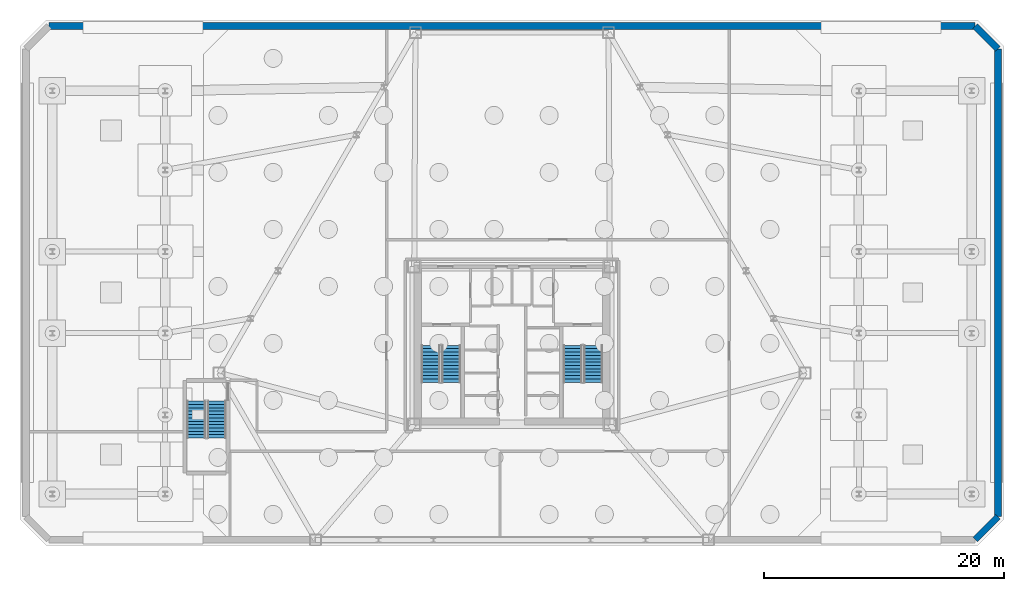
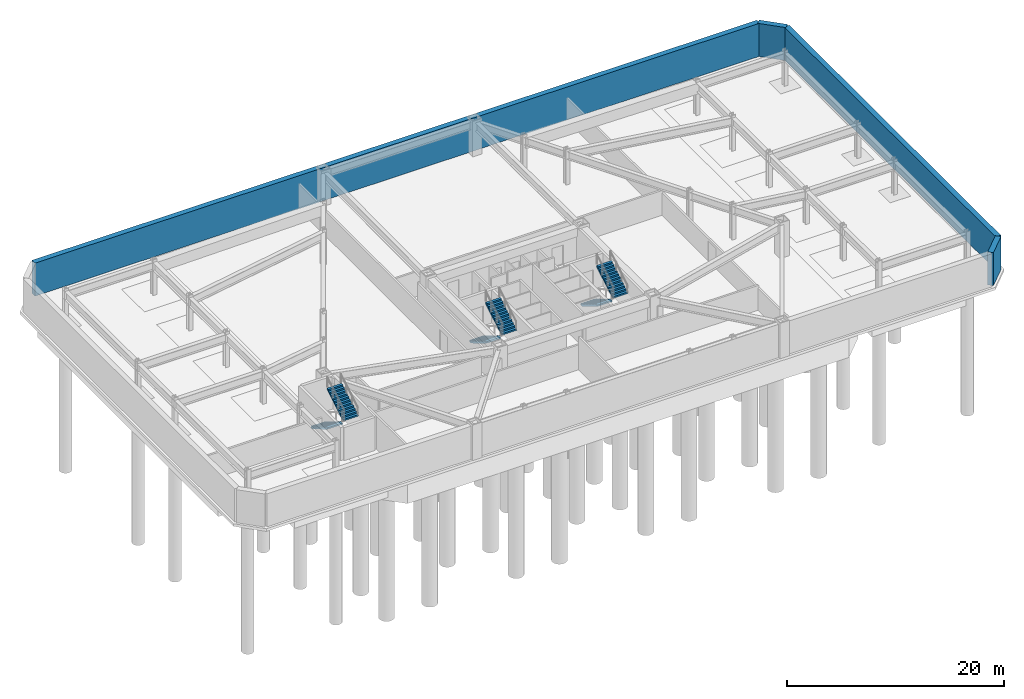
# One storey, part 7 of 8: 6 stair flights, 4 walls, 3 elements without a shape of their own.
"""IFC4 building model written with IfcOpenShell, lengths in metres."""

from ifc_helpers import new_model, si_unit, direction, frame, frame_2d, origin, place, context, subcontext, project, spatial, polyline, rectangle, outline, extrude, material, layer, layer_set, type_object, element, aggregate, save


model = new_model("IFC4")

# Units and contexts
model_context = context("Model", 3, precision=1e-05, world=origin(), true_north=direction((0.0, 1.0)))
body_context = subcontext(model_context, "Body", "Model", "MODEL_VIEW")
ifc_project = project(units=[si_unit("LENGTHUNIT", "METRE"), si_unit("AREAUNIT", "SQUARE_METRE"), si_unit("VOLUMEUNIT", "CUBIC_METRE"), si_unit("PLANEANGLEUNIT", "RADIAN"), si_unit("MASSUNIT", "GRAM", prefix="KILO")], contexts=[model_context])

# Site, building, storey
site_placement = place(None, origin())
site = spatial("IfcSite", under=ifc_project, at=site_placement, CompositionType="ELEMENT")
building_placement = place(site_placement, origin())
building = spatial("IfcBuilding", under=site, at=building_placement, Name="Oramaril Tower", CompositionType="ELEMENT")
storey_placement = place(building_placement, frame((0.0, 0.0, -8.0)))
storey = spatial("IfcBuildingStorey", under=building, at=storey_placement, Name="B02", CompositionType="ELEMENT", Elevation=-8.0)

# Walls
ifc_material_1 = material(Name="Concrete C50/60", Category="concrete")
ifc_layer = layer(ifc_material_1, 0.550048828125)
ifc_layer_set = layer_set([ifc_layer], Name="WT-RET55")
wall_type = type_object("IfcWallType", Name="WT-RET55", PredefinedType="USERDEFINED", material=ifc_layer_set)
wall_1_placement = place(storey_placement, frame((76.093017578125, 1.39990234375, 0.0), z_axis=(0.0, 0.0, 1.0), x_axis=(0.707061519111, 0.707152040365, 0.0)))
element("IfcWall", 1, at=wall_1_placement, inside=storey, type_object=wall_type, Name="B02 Perimeter Retaining Wall RW-02", ObjectType="RETAININGWALL", PredefinedType="USERDEFINED", context=body_context, shape_type="SweptSolid", body=[
    extrude(rectangle(XDim=2.697021484375, YDim=0.550048828125, at=frame_2d((1.3486328125, 0.0))), origin(), (0.0, 0.0, 1.0), 3.719970703125),
])
wall_2_placement = place(storey_placement, frame((78.0, 3.30712890625, 0.0), z_axis=(0.0, 0.0, 1.0), x_axis=(0.0, 1.0, 0.0)))
element("IfcWall", 2, at=wall_2_placement, inside=storey, type_object=wall_type, Name="B02 Perimeter Retaining Wall RW-03", ObjectType="RETAININGWALL", PredefinedType="USERDEFINED", context=body_context, shape_type="SweptSolid", body=[
    extrude(rectangle(XDim=38.98583984375, YDim=0.550048828125, at=frame_2d((19.492919921875, 0.0))), origin(), (0.0, 0.0, 1.0), 3.719970703125),
])
wall_3_placement = place(storey_placement, frame((78.0, 42.29296875, 0.0), z_axis=(0.0, 0.0, 1.0), x_axis=(-0.707106781187, 0.707106781187, 0.0)))
element("IfcWall", 3, at=wall_3_placement, inside=storey, type_object=wall_type, Name="B02 Perimeter Retaining Wall RW-04", ObjectType="RETAININGWALL", PredefinedType="USERDEFINED", context=body_context, shape_type="SweptSolid", body=[
    extrude(rectangle(XDim=2.69677734375, YDim=0.550048828125, at=frame_2d((1.348388671875, 0.0))), origin(), (0.0, 0.0, 1.0), 3.719970703125),
])
wall_4_placement = place(storey_placement, frame((76.093017578125, 44.199951171875, 0.0), z_axis=(0.0, 0.0, 1.0), x_axis=(-1.0, 0.0, 0.0)))
element("IfcWall", 4, at=wall_4_placement, inside=storey, type_object=wall_type, Name="B02 Perimeter Retaining Wall RW-05", ObjectType="RETAININGWALL", PredefinedType="USERDEFINED", context=body_context, shape_type="SweptSolid", body=[
    extrude(rectangle(XDim=77.18603515625, YDim=0.550048828125, at=frame_2d((38.593017578125, 0.0))), origin(), (0.0, 0.0, 1.0), 3.719970703125),
])

# Stair, stair flights
ifc_material_2 = material(Name="Concrete C50/60", Category="concrete")
stair_type = type_object("IfcStairType", Name="STT-DG-4000", PredefinedType="HALF_TURN_STAIR", material=ifc_material_2)
stair_1_placement = place(storey_placement, origin())
stair_1 = element("IfcStair", 5, at=stair_1_placement, inside=storey, type_object=stair_type, Name="B02 Protected PFP Exit Stair ST-1", PredefinedType="HALF_TURN_STAIR")
ifc_material_3 = material(Name="Concrete C50/60", Category="concrete")
stair_flight_type = type_object("IfcStairFlightType", Name="SFT-DG-4000", PredefinedType="STRAIGHT", material=ifc_material_3)
stair_flight_1_placement = place(storey_placement, frame((30.72998046875, 17.590087890625, 0.0), z_axis=(0.0, 0.0, 1.0), x_axis=(0.0, -1.0, 0.0)))
stair_flight_1 = element("IfcStairFlight", 6, at=stair_flight_1_placement, type_object=stair_flight_type, Name="ST-1 flight 1", NumberOfRisers=12, NumberOfTreads=11, PredefinedType="STRAIGHT", RiserHeight=0.166666667, TreadLength=0.28, context=body_context, shape_type="SweptSolid", body=[
    extrude(outline(polyline([(0.0, 0.0), (0.0, 0.166748046875), (0.280029296875, 0.166748046875), (0.280029296875, 0.333251953125), (0.56005859375, 0.333251953125), (0.56005859375, 0.5), (0.840087890625, 0.5), (0.840087890625, 0.666748046875), (1.1201171875, 0.666748046875), (1.1201171875, 0.833251953125), (1.39990234375, 0.833251953125), (1.39990234375, 1.0), (1.679931640625, 1.0), (1.679931640625, 1.166748046875), (1.9599609375, 1.166748046875), (1.9599609375, 1.333251953125), (2.239990234375, 1.333251953125), (2.239990234375, 1.5), (2.52001953125, 1.5), (2.52001953125, 1.666748046875), (2.800048828125, 1.666748046875), (2.800048828125, 1.833251953125), (3.080078125, 1.833251953125), (3.080078125, 2.0), (3.080078125, 1.658935546875), (0.29296875, 0.0), (0.0, 0.0)])), frame((0.0, 0.780029296875, 0.0), z_axis=(0.0, -1.0, 0.0), x_axis=(1.0, 0.0, 0.0)), (0.0, 0.0, 1.0), 1.56005859375),
])
stair_flight_2_placement = place(storey_placement, frame((32.43994140625, 14.510009765625, 2.0), z_axis=(0.0, 0.0, 1.0), x_axis=(0.0, 1.0, 0.0)))
stair_flight_2 = element("IfcStairFlight", 7, at=stair_flight_2_placement, type_object=stair_flight_type, Name="ST-1 flight 2", NumberOfRisers=12, NumberOfTreads=11, PredefinedType="STRAIGHT", RiserHeight=0.166666667, TreadLength=0.28, context=body_context, shape_type="SweptSolid", body=[
    extrude(outline(polyline([(0.0, 0.0), (0.0, 0.166748046875), (0.280029296875, 0.166748046875), (0.280029296875, 0.333251953125), (0.56005859375, 0.333251953125), (0.56005859375, 0.5), (0.840087890625, 0.5), (0.840087890625, 0.666748046875), (1.1201171875, 0.666748046875), (1.1201171875, 0.833251953125), (1.39990234375, 0.833251953125), (1.39990234375, 1.0), (1.679931640625, 1.0), (1.679931640625, 1.166748046875), (1.9599609375, 1.166748046875), (1.9599609375, 1.333251953125), (2.239990234375, 1.333251953125), (2.239990234375, 1.5), (2.52001953125, 1.5), (2.52001953125, 1.666748046875), (2.800048828125, 1.666748046875), (2.800048828125, 1.833251953125), (3.080078125, 1.833251953125), (3.080078125, 2.0), (3.080078125, 1.658935546875), (0.29296875, 0.0), (0.0, 0.0)])), frame((0.0, 0.780029296875, 0.0), z_axis=(0.0, -1.0, 0.0), x_axis=(1.0, 0.0, 0.0)), (0.0, 0.0, 1.0), 1.56005859375),
])
aggregate(stair_1, [stair_flight_1, stair_flight_2])

stair_2_placement = place(storey_placement, origin())
stair_2 = element("IfcStair", 8, at=stair_2_placement, inside=storey, type_object=stair_type, Name="B02 Protected PFP Exit Stair ST-2", PredefinedType="HALF_TURN_STAIR")
stair_flight_3_placement = place(storey_placement, frame((42.56005859375, 17.590087890625, 0.0), z_axis=(0.0, 0.0, 1.0), x_axis=(0.0, -1.0, 0.0)))
stair_flight_3 = element("IfcStairFlight", 9, at=stair_flight_3_placement, type_object=stair_flight_type, Name="ST-2 flight 1", NumberOfRisers=12, NumberOfTreads=11, PredefinedType="STRAIGHT", RiserHeight=0.166666667, TreadLength=0.28, context=body_context, shape_type="SweptSolid", body=[
    extrude(outline(polyline([(0.0, 0.0), (0.0, 0.166748046875), (0.280029296875, 0.166748046875), (0.280029296875, 0.333251953125), (0.56005859375, 0.333251953125), (0.56005859375, 0.5), (0.840087890625, 0.5), (0.840087890625, 0.666748046875), (1.1201171875, 0.666748046875), (1.1201171875, 0.833251953125), (1.39990234375, 0.833251953125), (1.39990234375, 1.0), (1.679931640625, 1.0), (1.679931640625, 1.166748046875), (1.9599609375, 1.166748046875), (1.9599609375, 1.333251953125), (2.239990234375, 1.333251953125), (2.239990234375, 1.5), (2.52001953125, 1.5), (2.52001953125, 1.666748046875), (2.800048828125, 1.666748046875), (2.800048828125, 1.833251953125), (3.080078125, 1.833251953125), (3.080078125, 2.0), (3.080078125, 1.658935546875), (0.29296875, 0.0), (0.0, 0.0)])), frame((0.0, 0.780029296875, 0.0), z_axis=(0.0, -1.0, 0.0), x_axis=(1.0, 0.0, 0.0)), (0.0, 0.0, 1.0), 1.56005859375),
])
stair_flight_4_placement = place(storey_placement, frame((44.27001953125, 14.510009765625, 2.0), z_axis=(0.0, 0.0, 1.0), x_axis=(0.0, 1.0, 0.0)))
stair_flight_4 = element("IfcStairFlight", 10, at=stair_flight_4_placement, type_object=stair_flight_type, Name="ST-2 flight 2", NumberOfRisers=12, NumberOfTreads=11, PredefinedType="STRAIGHT", RiserHeight=0.166666667, TreadLength=0.28, context=body_context, shape_type="SweptSolid", body=[
    extrude(outline(polyline([(0.0, 0.0), (0.0, 0.166748046875), (0.280029296875, 0.166748046875), (0.280029296875, 0.333251953125), (0.56005859375, 0.333251953125), (0.56005859375, 0.5), (0.840087890625, 0.5), (0.840087890625, 0.666748046875), (1.1201171875, 0.666748046875), (1.1201171875, 0.833251953125), (1.39990234375, 0.833251953125), (1.39990234375, 1.0), (1.679931640625, 1.0), (1.679931640625, 1.166748046875), (1.9599609375, 1.166748046875), (1.9599609375, 1.333251953125), (2.239990234375, 1.333251953125), (2.239990234375, 1.5), (2.52001953125, 1.5), (2.52001953125, 1.666748046875), (2.800048828125, 1.666748046875), (2.800048828125, 1.833251953125), (3.080078125, 1.833251953125), (3.080078125, 2.0), (3.080078125, 1.658935546875), (0.29296875, 0.0), (0.0, 0.0)])), frame((0.0, 0.780029296875, 0.0), z_axis=(0.0, -1.0, 0.0), x_axis=(1.0, 0.0, 0.0)), (0.0, 0.0, 1.0), 1.56005859375),
])
aggregate(stair_2, [stair_flight_3, stair_flight_4])

stair_3_placement = place(storey_placement, origin())
stair_3 = element("IfcStair", 11, at=stair_3_placement, inside=storey, type_object=stair_type, Name="B02 Podium Enclosed Exit Stair ST-3", PredefinedType="HALF_TURN_STAIR")
stair_flight_5_placement = place(storey_placement, frame((11.179931640625, 12.93994140625, 0.0), z_axis=(0.0, 0.0, 1.0), x_axis=(0.0, -1.0, 0.0)))
stair_flight_5 = element("IfcStairFlight", 12, at=stair_flight_5_placement, type_object=stair_flight_type, Name="ST-3 flight 1", NumberOfRisers=12, NumberOfTreads=11, PredefinedType="STRAIGHT", RiserHeight=0.166666667, TreadLength=0.28, context=body_context, shape_type="SweptSolid", body=[
    extrude(outline(polyline([(0.0, 0.0), (0.0, 0.166748046875), (0.280029296875, 0.166748046875), (0.280029296875, 0.333251953125), (0.56005859375, 0.333251953125), (0.56005859375, 0.5), (0.840087890625, 0.5), (0.840087890625, 0.666748046875), (1.1201171875, 0.666748046875), (1.1201171875, 0.833251953125), (1.39990234375, 0.833251953125), (1.39990234375, 1.0), (1.679931640625, 1.0), (1.679931640625, 1.166748046875), (1.9599609375, 1.166748046875), (1.9599609375, 1.333251953125), (2.239990234375, 1.333251953125), (2.239990234375, 1.5), (2.52001953125, 1.5), (2.52001953125, 1.666748046875), (2.800048828125, 1.666748046875), (2.800048828125, 1.833251953125), (3.080078125, 1.833251953125), (3.080078125, 2.0), (3.080078125, 1.658935546875), (0.29296875, 0.0), (0.0, 0.0)])), frame((0.0, 0.780029296875, 0.0), z_axis=(0.0, -1.0, 0.0), x_axis=(1.0, 0.0, 0.0)), (0.0, 0.0, 1.0), 1.56005859375),
])
stair_flight_6_placement = place(storey_placement, frame((12.889892578125, 9.860107421875, 2.0), z_axis=(0.0, 0.0, 1.0), x_axis=(0.0, 1.0, 0.0)))
stair_flight_6 = element("IfcStairFlight", 13, at=stair_flight_6_placement, type_object=stair_flight_type, Name="ST-3 flight 2", NumberOfRisers=12, NumberOfTreads=11, PredefinedType="STRAIGHT", RiserHeight=0.166666667, TreadLength=0.28, context=body_context, shape_type="SweptSolid", body=[
    extrude(outline(polyline([(0.0, 0.0), (0.0, 0.166748046875), (0.280029296875, 0.166748046875), (0.280029296875, 0.333251953125), (0.56005859375, 0.333251953125), (0.56005859375, 0.5), (0.840087890625, 0.5), (0.840087890625, 0.666748046875), (1.1201171875, 0.666748046875), (1.1201171875, 0.833251953125), (1.39990234375, 0.833251953125), (1.39990234375, 1.0), (1.679931640625, 1.0), (1.679931640625, 1.166748046875), (1.9599609375, 1.166748046875), (1.9599609375, 1.333251953125), (2.239990234375, 1.333251953125), (2.239990234375, 1.5), (2.52001953125, 1.5), (2.52001953125, 1.666748046875), (2.800048828125, 1.666748046875), (2.800048828125, 1.833251953125), (3.080078125, 1.833251953125), (3.080078125, 2.0), (3.080078125, 1.658935546875), (0.29296875, 0.0), (0.0, 0.0)])), frame((0.0, 0.780029296875, 0.0), z_axis=(0.0, -1.0, 0.0), x_axis=(1.0, 0.0, 0.0)), (0.0, 0.0, 1.0), 1.56005859375),
])
aggregate(stair_3, [stair_flight_5, stair_flight_6])

save(model, "model.ifc")
